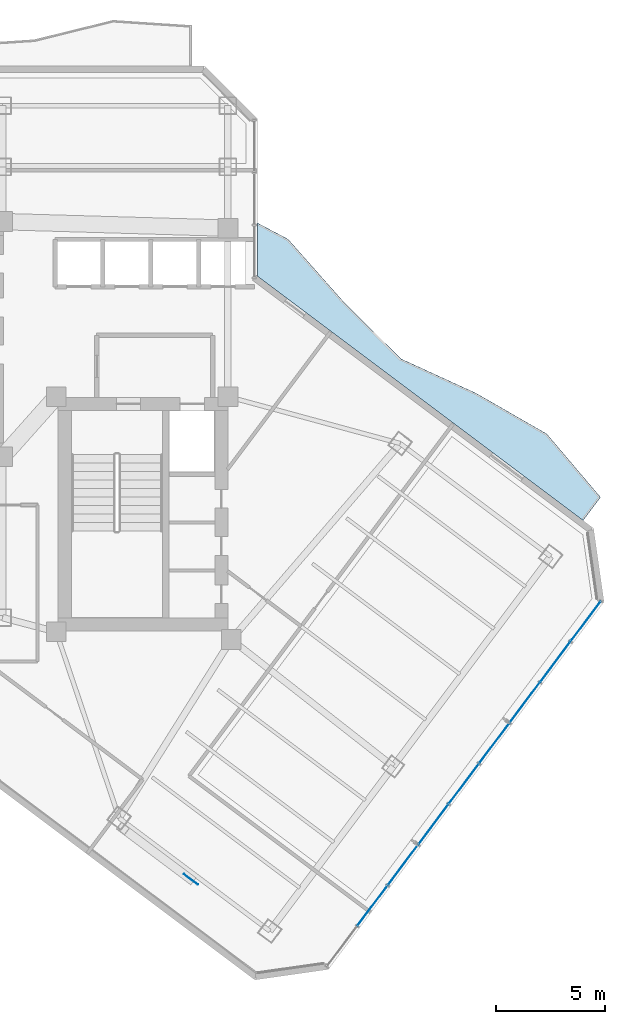
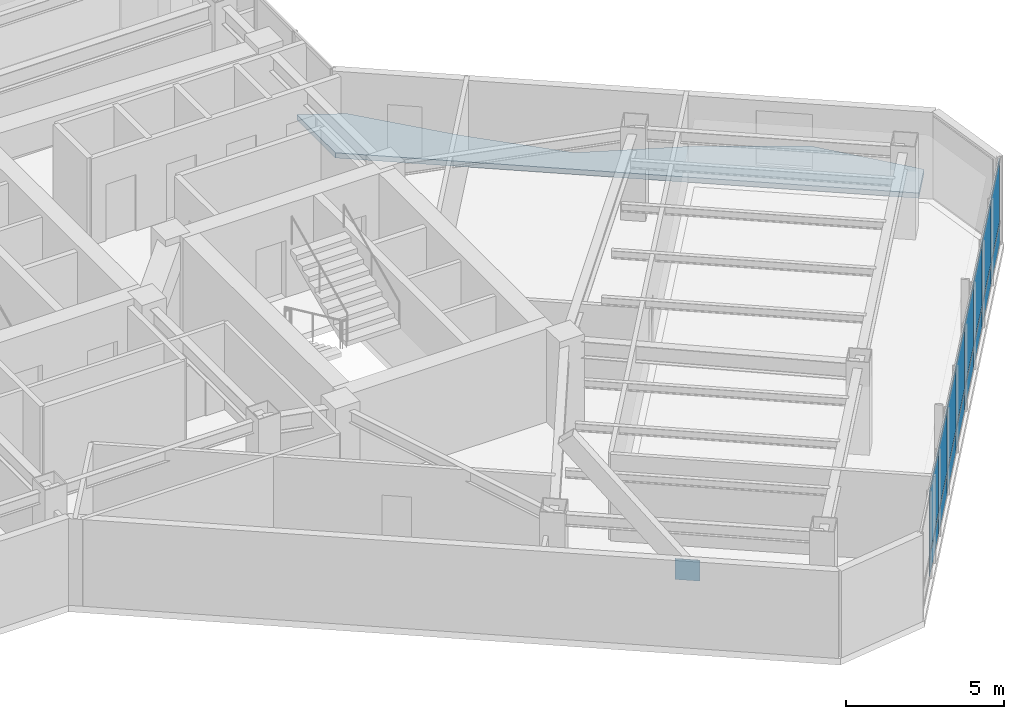
# One storey, part 21 of 28: 17 plates, 1 slab, 1 element without a shape of its own.
"""IFC4 building model written with IfcOpenShell, lengths in metres."""

from ifc_helpers import new_model, si_unit, direction, frame, origin, origin_2d, place, context, subcontext, project, spatial, polyline, rectangle, outline, extrude, material, layer, layer_set, type_object, element, aggregate, save


model = new_model("IFC4")

# Units and contexts
model_context = context("Model", 3, precision=1e-05, world=origin(), true_north=direction((0.0, 1.0)))
body_context = subcontext(model_context, "Body", "Model", "MODEL_VIEW")
ifc_project = project(units=[si_unit("LENGTHUNIT", "METRE"), si_unit("AREAUNIT", "SQUARE_METRE"), si_unit("VOLUMEUNIT", "CUBIC_METRE"), si_unit("PLANEANGLEUNIT", "RADIAN"), si_unit("MASSUNIT", "GRAM", prefix="KILO")], contexts=[model_context])

# Site, building, storey
site_placement = place(None, origin())
site = spatial("IfcSite", under=ifc_project, at=site_placement, CompositionType="ELEMENT")
building_placement = place(site_placement, origin())
building = spatial("IfcBuilding", under=site, at=building_placement, Name="Hatsunagi Terrace Concourse", CompositionType="ELEMENT")
storey_placement = place(building_placement, frame((0.0, 0.0, 170.85009765625)))
storey = spatial("IfcBuildingStorey", under=building, at=storey_placement, Name="L45", CompositionType="ELEMENT", Elevation=170.85009765625)

# Curtain wall, plates
ifc_material_1 = material(Name="Anodised Aluminium Alloy 6063-T5", Category="aluminium")
ifc_layer_1 = layer(ifc_material_1, 0.199951171875)
ifc_layer_set_1 = layer_set([ifc_layer_1], Name="OfficeZone1_CW03")
curtain_wall_type = type_object("IfcCurtainWallType", Name="OfficeZone1_CW03", PredefinedType="NOTDEFINED", material=ifc_layer_set_1)
curtain_wall_placement = place(storey_placement, origin())
curtain_wall = element("IfcCurtainWall", 1, at=curtain_wall_placement, inside=storey, type_object=curtain_wall_type, Name="Unitised Curtain Wall CW-03 CW-L45-03", PredefinedType="NOTDEFINED")
ifc_material_2 = material(Name="Warm Terracotta Ceramic Spandrel Panel", Category="masonry")
ifc_layer_2 = layer(ifc_material_2, 0.031982421875)
ifc_layer_set_2 = layer_set([ifc_layer_2], Name="CurtainWallSpandrelPanel_32")
plate_type_1 = type_object("IfcPlateType", Name="CurtainWallSpandrelPanel_32", PredefinedType="SHEET", material=ifc_layer_set_2)
plate_1_placement = place(storey_placement, frame((59.9970703125, 25.030029296875, 0.02978515625), z_axis=(0.0, 0.0, 1.0), x_axis=(-0.599969314634, -0.800023013105, 0.0)))
plate_1 = element("IfcPlate", 2, at=plate_1_placement, type_object=plate_type_1, Name="Terracotta Spandrel Panel SPN-01", PredefinedType="SHEET", context=body_context, shape_type="SweptSolid", body=[
    extrude(rectangle(XDim=2.264892578125, YDim=0.031982421875, at=origin_2d()), origin(), (0.0, 0.0, 1.0), 0.7900390625),
])
plate_2_placement = place(storey_placement, frame((58.60498046875, 23.173095703125, 0.02978515625), z_axis=(0.0, 0.0, 1.0), x_axis=(-0.599969314634, -0.800023013105, 0.0)))
plate_2 = element("IfcPlate", 3, at=plate_2_placement, type_object=plate_type_1, Name="Terracotta Spandrel Panel SPN-01", PredefinedType="SHEET", context=body_context, shape_type="SweptSolid", body=[
    extrude(rectangle(XDim=2.264892578125, YDim=0.031982421875, at=origin_2d()), origin(), (0.0, 0.0, 1.0), 0.7900390625),
])
plate_3_placement = place(storey_placement, frame((57.2119140625, 21.31689453125, 0.02978515625), z_axis=(0.0, 0.0, 1.0), x_axis=(-0.599969314634, -0.800023013105, 0.0)))
plate_3 = element("IfcPlate", 4, at=plate_3_placement, type_object=plate_type_1, Name="Terracotta Spandrel Panel SPN-01", PredefinedType="SHEET", context=body_context, shape_type="SweptSolid", body=[
    extrude(rectangle(XDim=2.264892578125, YDim=0.031982421875, at=origin_2d()), origin(), (0.0, 0.0, 1.0), 0.7900390625),
])
plate_4_placement = place(storey_placement, frame((55.820068359375, 19.4599609375, 0.02978515625), z_axis=(0.0, 0.0, 1.0), x_axis=(-0.599969314634, -0.800023013105, 0.0)))
plate_4 = element("IfcPlate", 5, at=plate_4_placement, type_object=plate_type_1, Name="Terracotta Spandrel Panel SPN-01", PredefinedType="SHEET", context=body_context, shape_type="SweptSolid", body=[
    extrude(rectangle(XDim=2.264892578125, YDim=0.031982421875, at=origin_2d()), origin(), (0.0, 0.0, 1.0), 0.7900390625),
])
plate_5_placement = place(storey_placement, frame((54.427978515625, 17.60400390625, 0.02978515625), z_axis=(0.0, 0.0, 1.0), x_axis=(-0.599969314634, -0.800023013105, 0.0)))
plate_5 = element("IfcPlate", 6, at=plate_5_placement, type_object=plate_type_1, Name="Terracotta Spandrel Panel SPN-01", PredefinedType="SHEET", context=body_context, shape_type="SweptSolid", body=[
    extrude(rectangle(XDim=2.264892578125, YDim=0.031982421875, at=origin_2d()), origin(), (0.0, 0.0, 1.0), 0.7900390625),
])
plate_6_placement = place(storey_placement, frame((53.035888671875, 15.748046875, 0.02978515625), z_axis=(0.0, 0.0, 1.0), x_axis=(-0.599969314634, -0.800023013105, 0.0)))
plate_6 = element("IfcPlate", 7, at=plate_6_placement, type_object=plate_type_1, Name="Terracotta Spandrel Panel SPN-01", PredefinedType="SHEET", context=body_context, shape_type="SweptSolid", body=[
    extrude(rectangle(XDim=2.264892578125, YDim=0.031982421875, at=origin_2d()), origin(), (0.0, 0.0, 1.0), 0.7900390625),
])
plate_7_placement = place(storey_placement, frame((51.64404296875, 13.89111328125, 0.02978515625), z_axis=(0.0, 0.0, 1.0), x_axis=(-0.599969314634, -0.800023013105, 0.0)))
plate_7 = element("IfcPlate", 8, at=plate_7_placement, type_object=plate_type_1, Name="Terracotta Spandrel Panel SPN-01", PredefinedType="SHEET", context=body_context, shape_type="SweptSolid", body=[
    extrude(rectangle(XDim=2.264892578125, YDim=0.031982421875, at=origin_2d()), origin(), (0.0, 0.0, 1.0), 0.7900390625),
])
plate_8_placement = place(storey_placement, frame((50.2509765625, 12.034912109375, 0.02978515625), z_axis=(0.0, 0.0, 1.0), x_axis=(-0.599969314634, -0.800023013105, 0.0)))
plate_8 = element("IfcPlate", 9, at=plate_8_placement, type_object=plate_type_1, Name="Terracotta Spandrel Panel SPN-01", PredefinedType="SHEET", context=body_context, shape_type="SweptSolid", body=[
    extrude(rectangle(XDim=2.264892578125, YDim=0.031982421875, at=origin_2d()), origin(), (0.0, 0.0, 1.0), 0.7900390625),
])
ifc_material_3 = material(Name="Low-E Double Insulating Glass 28mm", Category="glass")
ifc_layer_3 = layer(ifc_material_3, 0.028076171875)
ifc_layer_set_3 = layer_set([ifc_layer_3], Name="CurtainWallVisionGlass_28")
plate_type_2 = type_object("IfcPlateType", Name="CurtainWallVisionGlass_28", PredefinedType="CURTAIN_PANEL", material=ifc_layer_set_3)
plate_9_placement = place(storey_placement, frame((59.9970703125, 25.030029296875, 0.8798828125), z_axis=(0.0, 0.0, 1.0), x_axis=(-0.599969314634, -0.800023013105, 0.0)))
plate_9 = element("IfcPlate", 10, at=plate_9_placement, type_object=plate_type_2, Name="Low-E Vision Glass Panel GLZ-01", PredefinedType="CURTAIN_PANEL", context=body_context, shape_type="SweptSolid", body=[
    extrude(rectangle(XDim=2.264892578125, YDim=0.028076171875, at=origin_2d()), origin(), (0.0, 0.0, 1.0), 2.43994140625),
])
plate_10_placement = place(storey_placement, frame((58.60498046875, 23.173095703125, 0.8798828125), z_axis=(0.0, 0.0, 1.0), x_axis=(-0.599969314634, -0.800023013105, 0.0)))
plate_10 = element("IfcPlate", 11, at=plate_10_placement, type_object=plate_type_2, Name="Low-E Vision Glass Panel GLZ-01", PredefinedType="CURTAIN_PANEL", context=body_context, shape_type="SweptSolid", body=[
    extrude(rectangle(XDim=2.264892578125, YDim=0.028076171875, at=origin_2d()), origin(), (0.0, 0.0, 1.0), 2.43994140625),
])
plate_11_placement = place(storey_placement, frame((57.2119140625, 21.31689453125, 0.8798828125), z_axis=(0.0, 0.0, 1.0), x_axis=(-0.599969314634, -0.800023013105, 0.0)))
plate_11 = element("IfcPlate", 12, at=plate_11_placement, type_object=plate_type_2, Name="Low-E Vision Glass Panel GLZ-01", PredefinedType="CURTAIN_PANEL", context=body_context, shape_type="SweptSolid", body=[
    extrude(rectangle(XDim=2.264892578125, YDim=0.028076171875, at=origin_2d()), origin(), (0.0, 0.0, 1.0), 2.43994140625),
])
plate_12_placement = place(storey_placement, frame((55.820068359375, 19.4599609375, 0.8798828125), z_axis=(0.0, 0.0, 1.0), x_axis=(-0.599969314634, -0.800023013105, 0.0)))
plate_12 = element("IfcPlate", 13, at=plate_12_placement, type_object=plate_type_2, Name="Low-E Vision Glass Panel GLZ-01", PredefinedType="CURTAIN_PANEL", context=body_context, shape_type="SweptSolid", body=[
    extrude(rectangle(XDim=2.264892578125, YDim=0.028076171875, at=origin_2d()), origin(), (0.0, 0.0, 1.0), 2.43994140625),
])
plate_13_placement = place(storey_placement, frame((54.427978515625, 17.60400390625, 0.8798828125), z_axis=(0.0, 0.0, 1.0), x_axis=(-0.599969314634, -0.800023013105, 0.0)))
plate_13 = element("IfcPlate", 14, at=plate_13_placement, type_object=plate_type_2, Name="Low-E Vision Glass Panel GLZ-01", PredefinedType="CURTAIN_PANEL", context=body_context, shape_type="SweptSolid", body=[
    extrude(rectangle(XDim=2.264892578125, YDim=0.028076171875, at=origin_2d()), origin(), (0.0, 0.0, 1.0), 2.43994140625),
])
plate_14_placement = place(storey_placement, frame((53.035888671875, 15.748046875, 0.8798828125), z_axis=(0.0, 0.0, 1.0), x_axis=(-0.599969314634, -0.800023013105, 0.0)))
plate_14 = element("IfcPlate", 15, at=plate_14_placement, type_object=plate_type_2, Name="Low-E Vision Glass Panel GLZ-01", PredefinedType="CURTAIN_PANEL", context=body_context, shape_type="SweptSolid", body=[
    extrude(rectangle(XDim=2.264892578125, YDim=0.028076171875, at=origin_2d()), origin(), (0.0, 0.0, 1.0), 2.43994140625),
])
plate_15_placement = place(storey_placement, frame((51.64404296875, 13.89111328125, 0.8798828125), z_axis=(0.0, 0.0, 1.0), x_axis=(-0.599969314634, -0.800023013105, 0.0)))
plate_15 = element("IfcPlate", 16, at=plate_15_placement, type_object=plate_type_2, Name="Low-E Vision Glass Panel GLZ-01", PredefinedType="CURTAIN_PANEL", context=body_context, shape_type="SweptSolid", body=[
    extrude(rectangle(XDim=2.264892578125, YDim=0.028076171875, at=origin_2d()), origin(), (0.0, 0.0, 1.0), 2.43994140625),
])
plate_16_placement = place(storey_placement, frame((50.2509765625, 12.034912109375, 0.8798828125), z_axis=(0.0, 0.0, 1.0), x_axis=(-0.599969314634, -0.800023013105, 0.0)))
plate_16 = element("IfcPlate", 17, at=plate_16_placement, type_object=plate_type_2, Name="Low-E Vision Glass Panel GLZ-01", PredefinedType="CURTAIN_PANEL", context=body_context, shape_type="SweptSolid", body=[
    extrude(rectangle(XDim=2.264892578125, YDim=0.028076171875, at=origin_2d()), origin(), (0.0, 0.0, 1.0), 2.43994140625),
])
aggregate(curtain_wall, [plate_1, plate_9, plate_2, plate_10, plate_3, plate_11, plate_4, plate_12, plate_5, plate_13, plate_6, plate_14, plate_7, plate_15, plate_8, plate_16])

# Slab
ifc_material_4 = material(Name="Concrete Fc42", Category="concrete")
ifc_layer_4 = layer(ifc_material_4, 0.199951171875)
ifc_layer_set_4 = layer_set([ifc_layer_4], Name="EngawaBalconySlab_Fc42_200")
slab_type = type_object("IfcSlabType", Name="EngawaBalconySlab_Fc42_200", PredefinedType="FLOOR", material=ifc_layer_set_4)
slab_placement = place(storey_placement, frame((0.0, 0.0, -0.2001953125)))
element("IfcSlab", 18, at=slab_placement, inside=storey, type_object=slab_type, Name="Engawa Balcony Slab BAL-L45-BSE", PredefinedType="FLOOR", context=body_context, shape_type="SweptSolid", body=[
    extrude(outline(polyline([(46.39697265625, 42.49609375), (44.99609375, 43.236083984375), (44.99609375, 40.802978515625), (59.8798828125, 29.639892578125), (60.677001953125, 30.701904296875), (58.221923828125, 33.595947265625), (54.990966796875, 35.455078125), (51.549072265625, 37.031982421875), (48.902099609375, 39.669921875), (46.39697265625, 42.49609375)])), origin(), (0.0, 0.0, 1.0), 0.2001953125),
])

# Plate
ifc_material_5 = material(Name="Steel SN490C", Category="steel")
ifc_layer_5 = layer(ifc_material_5, 0.031982421875)
ifc_layer_set_5 = layer_set([ifc_layer_5], Name="XBraceNodeCapPlate_32")
plate_type_3 = type_object("IfcPlateType", Name="XBraceNodeCapPlate_32", PredefinedType="USERDEFINED", material=ifc_layer_set_5)
plate_17_placement = place(storey_placement, frame((41.951904296875, 13.236083984375, 1.27490234375), z_axis=(0.0, 0.0, 1.0), x_axis=(0.799999996291, -0.600000004945, 0.0)))
element("IfcPlate", 19, at=plate_17_placement, inside=storey, type_object=plate_type_3, Name="X-Brace Crossing Gusset Node Plate GP-02 XB-L44-SE", ObjectType="GUSSET_PLATE", PredefinedType="USERDEFINED", context=body_context, shape_type="SweptSolid", body=[
    extrude(rectangle(XDim=0.800048828125, YDim=0.031982421875, at=origin_2d()), origin(), (0.0, 0.0, 1.0), 0.800048828125),
])

save(model, "model.ifc")
